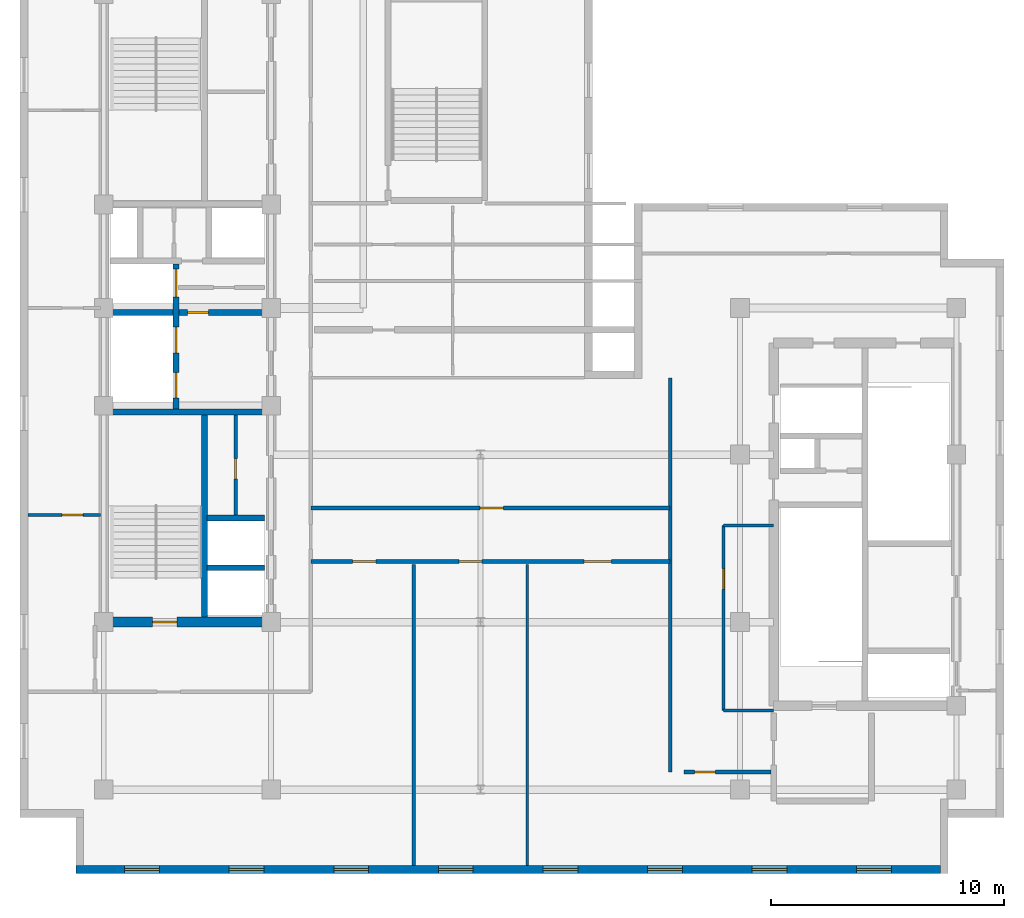
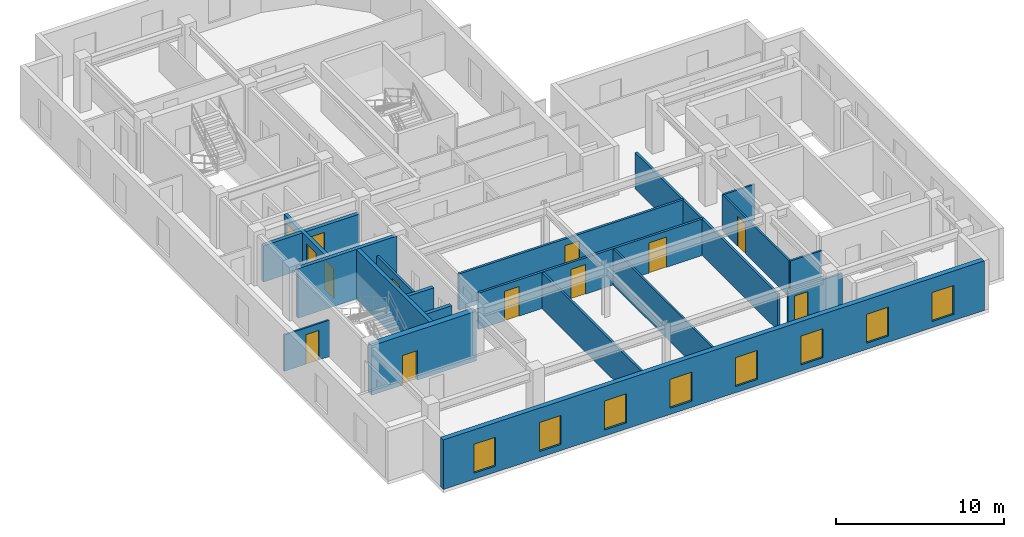
# One storey, part 3 of 10: 19 walls, 13 doors, 8 windows, 21 openings.
"""IFC4 building model written with IfcOpenShell, lengths in metres."""

from ifc_helpers import new_model, entity, si_unit, converted_unit, direction, frame, origin_with_axes, origin_2d_with_axis, place, context, subcontext, project, spatial, polyline, rectangle, outline, extrude, material, layer, layer_set, type_object, element, fill, save


model = new_model("IFC4")

# Units and contexts
model_context = context("Model", 3, precision=1e-05, world=origin_with_axes(), true_north=direction((0.0, 1.0)))
body_context = subcontext(model_context, "Body", "Model", "MODEL_VIEW")
ifc_project = project(units=[si_unit("LENGTHUNIT", "METRE"), si_unit("AREAUNIT", "SQUARE_METRE"), si_unit("VOLUMEUNIT", "CUBIC_METRE"), converted_unit("PLANEANGLEUNIT", "DEGREE", entity("IfcPlaneAngleMeasure", 0.017453292519943295), si_unit("PLANEANGLEUNIT", "RADIAN"), dimensions=[0, 0, 0, 0, 0, 0, 0]), si_unit("MASSUNIT", "GRAM", prefix="KILO"), si_unit("THERMODYNAMICTEMPERATUREUNIT", "KELVIN")], contexts=[model_context])

# Site, building, storey
site_placement = place(None, origin_with_axes())
site = spatial("IfcSite", under=ifc_project, at=site_placement, CompositionType="ELEMENT")
building_placement = place(site_placement, origin_with_axes())
building = spatial("IfcBuilding", under=site, at=building_placement, Name="Varnlund Millrace Tower", CompositionType="ELEMENT")
storey_placement = place(building_placement, frame((0.0, 0.0, 284.1), z_axis=(0.0, 0.0, 1.0), x_axis=(1.0, 0.0, 0.0)))
storey = spatial("IfcBuildingStorey", under=building, at=storey_placement, Name="L70", CompositionType="ELEMENT", Elevation=284.1)

# Wall, opening, door
ifc_material_1 = material(Name="Concrete C60/75", Category="concrete")
ifc_layer_1 = layer(ifc_material_1, 0.42, Name="Concrete C60/75")
ifc_layer_set_1 = layer_set([ifc_layer_1], Name="Concrete C60/75")
wall_type_1 = type_object("IfcWallType", Name="Type-CoreWall-Shear-420-C60", PredefinedType="SHEAR", material=ifc_layer_set_1)
wall_1_placement = place(storey_placement, frame((11.4, 10.8, 0.0), z_axis=(0.0, 0.0, 1.0), x_axis=(1.0, 0.0, 0.0)))
wall_1 = element("IfcWall", 1, at=wall_1_placement, inside=storey, type_object=wall_type_1, Name="Type-CoreWall-Shear-420-C60", PredefinedType="SHEAR", context=body_context, shape_type="SweptSolid", body=[
    extrude(outline(polyline([(0.0, -0.21), (7.2, -0.21), (7.2, 0.21), (0.0, 0.21), (0.0, -0.21)])), origin_with_axes(), (0.0, 0.0, 1.0), 3.6),
])
opening_1_placement = place(wall_1_placement, frame((2.625, 0.0, 0.0), z_axis=(0.0, 0.0, 1.0), x_axis=(1.0, 0.0, 0.0)))
opening_1 = element("IfcOpeningElement", 2, at=opening_1_placement, cuts=wall_1, Name="Opening L70:DR-STA1", PredefinedType="OPENING", context=body_context, shape_type="SweptSolid", body=[
    extrude(rectangle(XDim=1.05, YDim=0.44, at=origin_2d_with_axis()), origin_with_axes(), (0.0, 0.0, 1.0), 2.15),
])
ifc_material_2 = material(Name="Fire-rated hollow steel door", Category="steel")
door_type_1 = type_object("IfcDoorType", Name="Type-FireDoor-Stair-1050X2150", OperationType="NOTDEFINED", PredefinedType="DOOR", material=ifc_material_2)
door_1_placement = place(wall_1_placement, frame((2.625, 0.0, 0.0), z_axis=(0.0, 0.0, 1.0), x_axis=(1.0, 0.0, 0.0)))
door_1 = element("IfcDoor", 3, at=door_1_placement, inside=storey, type_object=door_type_1, Name="Type-FireDoor-Stair-1050X2150", OperationType="SINGLE_SWING_LEFT", OverallHeight=2.15, OverallWidth=1.05, PredefinedType="DOOR", context=body_context, shape_type="SweptSolid", body=[
    extrude(rectangle(XDim=1.05, YDim=0.09, at=origin_2d_with_axis()), origin_with_axes(), (0.0, 0.0, 1.0), 2.15),
])
fill(opening_1, door_1)

# Wall, openings, windows
ifc_material_3 = material(Name="Precast concrete C50/60", Category="concrete")
ifc_layer_2 = layer(ifc_material_3, 0.34, Name="Precast concrete C50/60")
ifc_layer_set_2 = layer_set([ifc_layer_2], Name="Precast concrete C50/60")
wall_type_2 = type_object("IfcWallType", Name="Type-ExtWall-Precast-Upper-340", PredefinedType="SOLIDWALL", material=ifc_layer_set_2)
wall_2_placement = place(storey_placement, frame((47.36, 0.17, 0.0), z_axis=(0.0, 0.0, 1.0), x_axis=(-1.0, 0.0, 0.0)))
wall_2 = element("IfcWall", 4, at=wall_2_placement, inside=storey, type_object=wall_type_2, Name="Type-ExtWall-Precast-Upper-340", PredefinedType="SOLIDWALL", context=body_context, shape_type="SweptSolid", body=[
    extrude(outline(polyline([(0.0, -0.17), (37.16, -0.17), (37.16, 0.17), (0.0, 0.17), (0.0, -0.17)])), origin_with_axes(), (0.0, 0.0, 1.0), 3.6),
])
opening_2_placement = place(wall_2_placement, frame((2.847, 0.0, 0.45), z_axis=(0.0, 0.0, 1.0), x_axis=(1.0, 0.0, 0.0)))
opening_2 = element("IfcOpeningElement", 5, at=opening_2_placement, cuts=wall_2, Name="Opening L70:WN-08", PredefinedType="OPENING", context=body_context, shape_type="SweptSolid", body=[
    extrude(rectangle(XDim=1.5, YDim=0.36, at=origin_2d_with_axis()), origin_with_axes(), (0.0, 0.0, 1.0), 2.1),
])
opening_3_placement = place(wall_2_placement, frame((7.342, 0.0, 0.45), z_axis=(0.0, 0.0, 1.0), x_axis=(1.0, 0.0, 0.0)))
opening_3 = element("IfcOpeningElement", 6, at=opening_3_placement, cuts=wall_2, Name="Opening L70:WN-09", PredefinedType="OPENING", context=body_context, shape_type="SweptSolid", body=[
    extrude(rectangle(XDim=1.5, YDim=0.36, at=origin_2d_with_axis()), origin_with_axes(), (0.0, 0.0, 1.0), 2.1),
])
opening_4_placement = place(wall_2_placement, frame((11.837, 0.0, 0.45), z_axis=(0.0, 0.0, 1.0), x_axis=(1.0, 0.0, 0.0)))
opening_4 = element("IfcOpeningElement", 7, at=opening_4_placement, cuts=wall_2, Name="Opening L70:WN-10", PredefinedType="OPENING", context=body_context, shape_type="SweptSolid", body=[
    extrude(rectangle(XDim=1.5, YDim=0.36, at=origin_2d_with_axis()), origin_with_axes(), (0.0, 0.0, 1.0), 2.1),
])
opening_5_placement = place(wall_2_placement, frame((16.332, 0.0, 0.45), z_axis=(0.0, 0.0, 1.0), x_axis=(1.0, 0.0, 0.0)))
opening_5 = element("IfcOpeningElement", 8, at=opening_5_placement, cuts=wall_2, Name="Opening L70:WN-11", PredefinedType="OPENING", context=body_context, shape_type="SweptSolid", body=[
    extrude(rectangle(XDim=1.5, YDim=0.36, at=origin_2d_with_axis()), origin_with_axes(), (0.0, 0.0, 1.0), 2.1),
])
opening_6_placement = place(wall_2_placement, frame((20.827, 0.0, 0.45), z_axis=(0.0, 0.0, 1.0), x_axis=(1.0, 0.0, 0.0)))
opening_6 = element("IfcOpeningElement", 9, at=opening_6_placement, cuts=wall_2, Name="Opening L70:WN-12", PredefinedType="OPENING", context=body_context, shape_type="SweptSolid", body=[
    extrude(rectangle(XDim=1.5, YDim=0.36, at=origin_2d_with_axis()), origin_with_axes(), (0.0, 0.0, 1.0), 2.1),
])
opening_7_placement = place(wall_2_placement, frame((25.322, 0.0, 0.45), z_axis=(0.0, 0.0, 1.0), x_axis=(1.0, 0.0, 0.0)))
opening_7 = element("IfcOpeningElement", 10, at=opening_7_placement, cuts=wall_2, Name="Opening L70:WN-13", PredefinedType="OPENING", context=body_context, shape_type="SweptSolid", body=[
    extrude(rectangle(XDim=1.5, YDim=0.36, at=origin_2d_with_axis()), origin_with_axes(), (0.0, 0.0, 1.0), 2.1),
])
opening_8_placement = place(wall_2_placement, frame((29.817, 0.0, 0.45), z_axis=(0.0, 0.0, 1.0), x_axis=(1.0, 0.0, 0.0)))
opening_8 = element("IfcOpeningElement", 11, at=opening_8_placement, cuts=wall_2, Name="Opening L70:WN-14", PredefinedType="OPENING", context=body_context, shape_type="SweptSolid", body=[
    extrude(rectangle(XDim=1.5, YDim=0.36, at=origin_2d_with_axis()), origin_with_axes(), (0.0, 0.0, 1.0), 2.1),
])
opening_9_placement = place(wall_2_placement, frame((34.312, 0.0, 0.45), z_axis=(0.0, 0.0, 1.0), x_axis=(1.0, 0.0, 0.0)))
opening_9 = element("IfcOpeningElement", 12, at=opening_9_placement, cuts=wall_2, Name="Opening L70:WN-15", PredefinedType="OPENING", context=body_context, shape_type="SweptSolid", body=[
    extrude(rectangle(XDim=1.5, YDim=0.36, at=origin_2d_with_axis()), origin_with_axes(), (0.0, 0.0, 1.0), 2.1),
])
ifc_material_4 = material(Name="Argon low-e triple glazing in thermally broken bronze frame", Category="glass")
window_type = type_object("IfcWindowType", Name="Type-Window-Punched-1500X2100", PartitioningType="SINGLE_PANEL", PredefinedType="WINDOW", material=ifc_material_4)
window_1_placement = place(wall_2_placement, frame((2.847, 0.0, 0.45), z_axis=(0.0, 0.0, 1.0), x_axis=(1.0, 0.0, 0.0)))
window_1 = element("IfcWindow", 13, at=window_1_placement, inside=storey, type_object=window_type, Name="Type-Window-Punched-1500X2100", OverallHeight=2.1, OverallWidth=1.5, PredefinedType="WINDOW", context=body_context, shape_type="SweptSolid", body=[
    extrude(rectangle(XDim=1.5, YDim=0.09, at=origin_2d_with_axis()), origin_with_axes(), (0.0, 0.0, 1.0), 2.1),
])
fill(opening_2, window_1)
window_2_placement = place(wall_2_placement, frame((7.342, 0.0, 0.45), z_axis=(0.0, 0.0, 1.0), x_axis=(1.0, 0.0, 0.0)))
window_2 = element("IfcWindow", 14, at=window_2_placement, inside=storey, type_object=window_type, Name="Type-Window-Punched-1500X2100", OverallHeight=2.1, OverallWidth=1.5, PredefinedType="WINDOW", context=body_context, shape_type="SweptSolid", body=[
    extrude(rectangle(XDim=1.5, YDim=0.09, at=origin_2d_with_axis()), origin_with_axes(), (0.0, 0.0, 1.0), 2.1),
])
fill(opening_3, window_2)
window_3_placement = place(wall_2_placement, frame((11.837, 0.0, 0.45), z_axis=(0.0, 0.0, 1.0), x_axis=(1.0, 0.0, 0.0)))
window_3 = element("IfcWindow", 15, at=window_3_placement, inside=storey, type_object=window_type, Name="Type-Window-Punched-1500X2100", OverallHeight=2.1, OverallWidth=1.5, PredefinedType="WINDOW", context=body_context, shape_type="SweptSolid", body=[
    extrude(rectangle(XDim=1.5, YDim=0.09, at=origin_2d_with_axis()), origin_with_axes(), (0.0, 0.0, 1.0), 2.1),
])
fill(opening_4, window_3)
window_4_placement = place(wall_2_placement, frame((16.332, 0.0, 0.45), z_axis=(0.0, 0.0, 1.0), x_axis=(1.0, 0.0, 0.0)))
window_4 = element("IfcWindow", 16, at=window_4_placement, inside=storey, type_object=window_type, Name="Type-Window-Punched-1500X2100", OverallHeight=2.1, OverallWidth=1.5, PredefinedType="WINDOW", context=body_context, shape_type="SweptSolid", body=[
    extrude(rectangle(XDim=1.5, YDim=0.09, at=origin_2d_with_axis()), origin_with_axes(), (0.0, 0.0, 1.0), 2.1),
])
fill(opening_5, window_4)
window_5_placement = place(wall_2_placement, frame((20.827, 0.0, 0.45), z_axis=(0.0, 0.0, 1.0), x_axis=(1.0, 0.0, 0.0)))
window_5 = element("IfcWindow", 17, at=window_5_placement, inside=storey, type_object=window_type, Name="Type-Window-Punched-1500X2100", OverallHeight=2.1, OverallWidth=1.5, PredefinedType="WINDOW", context=body_context, shape_type="SweptSolid", body=[
    extrude(rectangle(XDim=1.5, YDim=0.09, at=origin_2d_with_axis()), origin_with_axes(), (0.0, 0.0, 1.0), 2.1),
])
fill(opening_6, window_5)
window_6_placement = place(wall_2_placement, frame((25.322, 0.0, 0.45), z_axis=(0.0, 0.0, 1.0), x_axis=(1.0, 0.0, 0.0)))
window_6 = element("IfcWindow", 18, at=window_6_placement, inside=storey, type_object=window_type, Name="Type-Window-Punched-1500X2100", OverallHeight=2.1, OverallWidth=1.5, PredefinedType="WINDOW", context=body_context, shape_type="SweptSolid", body=[
    extrude(rectangle(XDim=1.5, YDim=0.09, at=origin_2d_with_axis()), origin_with_axes(), (0.0, 0.0, 1.0), 2.1),
])
fill(opening_7, window_6)
window_7_placement = place(wall_2_placement, frame((29.817, 0.0, 0.45), z_axis=(0.0, 0.0, 1.0), x_axis=(1.0, 0.0, 0.0)))
window_7 = element("IfcWindow", 19, at=window_7_placement, inside=storey, type_object=window_type, Name="Type-Window-Punched-1500X2100", OverallHeight=2.1, OverallWidth=1.5, PredefinedType="WINDOW", context=body_context, shape_type="SweptSolid", body=[
    extrude(rectangle(XDim=1.5, YDim=0.09, at=origin_2d_with_axis()), origin_with_axes(), (0.0, 0.0, 1.0), 2.1),
])
fill(opening_8, window_7)
window_8_placement = place(wall_2_placement, frame((34.312, 0.0, 0.45), z_axis=(0.0, 0.0, 1.0), x_axis=(1.0, 0.0, 0.0)))
window_8 = element("IfcWindow", 20, at=window_8_placement, inside=storey, type_object=window_type, Name="Type-Window-Punched-1500X2100", OverallHeight=2.1, OverallWidth=1.5, PredefinedType="WINDOW", context=body_context, shape_type="SweptSolid", body=[
    extrude(rectangle(XDim=1.5, YDim=0.09, at=origin_2d_with_axis()), origin_with_axes(), (0.0, 0.0, 1.0), 2.1),
])
fill(opening_9, window_8)

# Wall, opening, door
ifc_material_5 = material(Name="Fire-rated gypsum board on cold-formed steel framing", Category="steel")
ifc_layer_3 = layer(ifc_material_5, 0.16, Name="Fire-rated gypsum board on cold-formed steel framing")
ifc_layer_set_3 = layer_set([ifc_layer_3], Name="Fire-rated gypsum board on cold-formed steel framing")
wall_type_3 = type_object("IfcWallType", Name="Type-Partition-Corridor-160", PredefinedType="PARTITIONING", material=ifc_layer_set_3)
wall_3_placement = place(storey_placement, frame((17.07, 15.34, 0.0), z_axis=(0.0, 0.0, 1.0), x_axis=(0.0, 1.0, 0.0)))
wall_3 = element("IfcWall", 21, at=wall_3_placement, inside=storey, type_object=wall_type_3, Name="Type-Partition-Corridor-160", PredefinedType="PARTITIONING", context=body_context, shape_type="SweptSolid", body=[
    extrude(outline(polyline([(0.0, -0.08), (4.36, -0.08), (4.36, 0.08), (0.0, 0.08), (0.0, -0.08)])), origin_with_axes(), (0.0, 0.0, 1.0), 2.64),
])
opening_10_placement = place(wall_3_placement, frame((2.05, 0.0, 0.0), z_axis=(0.0, 0.0, 1.0), x_axis=(1.0, 0.0, 0.0)))
opening_10 = element("IfcOpeningElement", 22, at=opening_10_placement, cuts=wall_3, Name="Opening L70:DR-RECL-S1B1", PredefinedType="OPENING", context=body_context, shape_type="SweptSolid", body=[
    extrude(rectangle(XDim=0.9, YDim=0.18, at=origin_2d_with_axis()), origin_with_axes(), (0.0, 0.0, 1.0), 2.15),
])
ifc_material_6 = material(Name="Painted steel riser and closet door", Category="steel")
door_type_2 = type_object("IfcDoorType", Name="Type-IntDoor-Closet-900X2150", OperationType="NOTDEFINED", PredefinedType="DOOR", material=ifc_material_6)
door_2_placement = place(wall_3_placement, frame((2.05, 0.0, 0.0), z_axis=(0.0, 0.0, 1.0), x_axis=(1.0, 0.0, 0.0)))
door_2 = element("IfcDoor", 23, at=door_2_placement, inside=storey, type_object=door_type_2, Name="Type-IntDoor-Closet-900X2150", OperationType="SINGLE_SWING_LEFT", OverallHeight=2.15, OverallWidth=0.9, PredefinedType="DOOR", context=body_context, shape_type="SweptSolid", body=[
    extrude(rectangle(XDim=0.9, YDim=0.09, at=origin_2d_with_axis()), origin_with_axes(), (0.0, 0.0, 1.0), 2.15),
])
fill(opening_10, door_2)

# Wall, openings, doors
wall_4_placement = place(storey_placement, frame((20.3, 13.4, 0.0), z_axis=(0.0, 0.0, 1.0), x_axis=(1.0, 0.0, 0.0)))
wall_4 = element("IfcWall", 24, at=wall_4_placement, inside=storey, type_object=wall_type_3, Name="Type-Partition-Corridor-160", PredefinedType="PARTITIONING", context=body_context, shape_type="SweptSolid", body=[
    extrude(outline(polyline([(0.0, -0.08), (15.45, -0.08), (15.45, 0.08), (0.0, 0.08), (0.0, -0.08)])), origin_with_axes(), (0.0, 0.0, 1.0), 2.64),
])
opening_11_placement = place(wall_4_placement, frame((2.304, 0.0, 0.0), z_axis=(0.0, 0.0, 1.0), x_axis=(1.0, 0.0, 0.0)))
opening_11 = element("IfcOpeningElement", 25, at=opening_11_placement, cuts=wall_4, Name="Opening L70:DR-KNS-01", PredefinedType="OPENING", context=body_context, shape_type="SweptSolid", body=[
    extrude(rectangle(XDim=1.0, YDim=0.18, at=origin_2d_with_axis()), origin_with_axes(), (0.0, 0.0, 1.0), 2.15),
])
opening_12_placement = place(wall_4_placement, frame((6.866, 0.0, 0.0), z_axis=(0.0, 0.0, 1.0), x_axis=(1.0, 0.0, 0.0)))
opening_12 = element("IfcOpeningElement", 26, at=opening_12_placement, cuts=wall_4, Name="Opening L70:DR-KNS-02", PredefinedType="OPENING", context=body_context, shape_type="SweptSolid", body=[
    extrude(rectangle(XDim=1.0, YDim=0.18, at=origin_2d_with_axis()), origin_with_axes(), (0.0, 0.0, 1.0), 2.15),
])
opening_13_placement = place(wall_4_placement, frame((12.337, 0.0, 0.0), z_axis=(0.0, 0.0, 1.0), x_axis=(1.0, 0.0, 0.0)))
opening_13 = element("IfcOpeningElement", 27, at=opening_13_placement, cuts=wall_4, Name="Opening L70:DR-KNS-03", PredefinedType="OPENING", context=body_context, shape_type="SweptSolid", body=[
    extrude(rectangle(XDim=1.2, YDim=0.18, at=origin_2d_with_axis()), origin_with_axes(), (0.0, 0.0, 1.0), 2.2),
])
ifc_material_7 = material(Name="Wide executive white oak acoustic door")
door_type_3 = type_object("IfcDoorType", Name="Type-IntDoor-Exec-1200X2200", OperationType="NOTDEFINED", PredefinedType="DOOR", material=ifc_material_7)
door_3_placement = place(wall_4_placement, frame((12.337, 0.0, 0.0), z_axis=(0.0, 0.0, 1.0), x_axis=(1.0, 0.0, 0.0)))
door_3 = element("IfcDoor", 28, at=door_3_placement, inside=storey, type_object=door_type_3, Name="Type-IntDoor-Exec-1200X2200", OperationType="SINGLE_SWING_LEFT", OverallHeight=2.2, OverallWidth=1.2, PredefinedType="DOOR", context=body_context, shape_type="SweptSolid", body=[
    extrude(rectangle(XDim=1.2, YDim=0.09, at=origin_2d_with_axis()), origin_with_axes(), (0.0, 0.0, 1.0), 2.2),
])
fill(opening_13, door_3)
ifc_material_8 = material(Name="Solid-core white oak and bronze frame door")
door_type_4 = type_object("IfcDoorType", Name="Type-IntDoor-Office-1000X2150", OperationType="NOTDEFINED", PredefinedType="DOOR", material=ifc_material_8)
door_4_placement = place(wall_4_placement, frame((2.304, 0.0, 0.0), z_axis=(0.0, 0.0, 1.0), x_axis=(1.0, 0.0, 0.0)))
door_4 = element("IfcDoor", 29, at=door_4_placement, inside=storey, type_object=door_type_4, Name="Type-IntDoor-Office-1000X2150", OperationType="SINGLE_SWING_LEFT", OverallHeight=2.15, OverallWidth=1.0, PredefinedType="DOOR", context=body_context, shape_type="SweptSolid", body=[
    extrude(rectangle(XDim=1.0, YDim=0.09, at=origin_2d_with_axis()), origin_with_axes(), (0.0, 0.0, 1.0), 2.15),
])
fill(opening_11, door_4)
door_5_placement = place(wall_4_placement, frame((6.866, 0.0, 0.0), z_axis=(0.0, 0.0, 1.0), x_axis=(1.0, 0.0, 0.0)))
door_5 = element("IfcDoor", 30, at=door_5_placement, inside=storey, type_object=door_type_4, Name="Type-IntDoor-Office-1000X2150", OperationType="SINGLE_SWING_RIGHT", OverallHeight=2.15, OverallWidth=1.0, PredefinedType="DOOR", context=body_context, shape_type="SweptSolid", body=[
    extrude(rectangle(XDim=1.0, YDim=0.09, at=origin_2d_with_axis()), origin_with_axes(), (0.0, 0.0, 1.0), 2.15),
])
fill(opening_12, door_5)

# Wall, opening, door
wall_5_placement = place(storey_placement, frame((20.3, 15.7, 0.0), z_axis=(0.0, 0.0, 1.0), x_axis=(1.0, 0.0, 0.0)))
wall_5 = element("IfcWall", 31, at=wall_5_placement, inside=storey, type_object=wall_type_3, Name="Type-Partition-Corridor-160", PredefinedType="PARTITIONING", context=body_context, shape_type="SweptSolid", body=[
    extrude(outline(polyline([(0.0, -0.08), (15.45, -0.08), (15.45, 0.08), (0.0, 0.08), (0.0, -0.08)])), origin_with_axes(), (0.0, 0.0, 1.0), 2.64),
])
opening_14_placement = place(wall_5_placement, frame((7.775, 0.0, 0.0), z_axis=(0.0, 0.0, 1.0), x_axis=(1.0, 0.0, 0.0)))
opening_14 = element("IfcOpeningElement", 32, at=opening_14_placement, cuts=wall_5, Name="Opening L70:DR-KN-01", PredefinedType="OPENING", context=body_context, shape_type="SweptSolid", body=[
    extrude(rectangle(XDim=1.0, YDim=0.18, at=origin_2d_with_axis()), origin_with_axes(), (0.0, 0.0, 1.0), 2.15),
])
door_6_placement = place(wall_5_placement, frame((7.775, 0.0, 0.0), z_axis=(0.0, 0.0, 1.0), x_axis=(1.0, 0.0, 0.0)))
door_6 = element("IfcDoor", 33, at=door_6_placement, inside=storey, type_object=door_type_4, Name="Type-IntDoor-Office-1000X2150", OperationType="SINGLE_SWING_LEFT", OverallHeight=2.15, OverallWidth=1.0, PredefinedType="DOOR", context=body_context, shape_type="SweptSolid", body=[
    extrude(rectangle(XDim=1.0, YDim=0.09, at=origin_2d_with_axis()), origin_with_axes(), (0.0, 0.0, 1.0), 2.15),
])
fill(opening_14, door_6)

# Wall
wall_6_placement = place(storey_placement, frame((35.75, 4.35, 0.0), z_axis=(0.0, 0.0, 1.0), x_axis=(0.0, 1.0, 0.0)))
element("IfcWall", 34, at=wall_6_placement, inside=storey, type_object=wall_type_3, Name="Type-Partition-Corridor-160", PredefinedType="PARTITIONING", context=body_context, shape_type="SweptSolid", body=[
    extrude(outline(polyline([(0.0, -0.08), (16.95, -0.08), (16.95, 0.08), (0.0, 0.08), (0.0, -0.08)])), origin_with_axes(), (0.0, 0.0, 1.0), 2.64),
])

# Wall, opening, door
wall_7_placement = place(storey_placement, frame((36.35, 4.35, 0.0), z_axis=(0.0, 0.0, 1.0), x_axis=(1.0, 0.0, 0.0)))
wall_7 = element("IfcWall", 35, at=wall_7_placement, inside=storey, type_object=wall_type_3, Name="Type-Partition-Corridor-160", PredefinedType="PARTITIONING", context=body_context, shape_type="SweptSolid", body=[
    extrude(outline(polyline([(0.0, -0.08), (3.725, -0.08), (3.725, 0.08), (0.0, 0.08), (0.0, -0.08)])), origin_with_axes(), (0.0, 0.0, 1.0), 2.64),
])
opening_15_placement = place(wall_7_placement, frame((0.9, 0.0, 0.0), z_axis=(0.0, 0.0, 1.0), x_axis=(1.0, 0.0, 0.0)))
opening_15 = element("IfcOpeningElement", 36, at=opening_15_placement, cuts=wall_7, Name="Opening L70:DR-Z4-KNS", PredefinedType="OPENING", context=body_context, shape_type="SweptSolid", body=[
    extrude(rectangle(XDim=0.9, YDim=0.18, at=origin_2d_with_axis()), origin_with_axes(), (0.0, 0.0, 1.0), 2.15),
])
door_7_placement = place(wall_7_placement, frame((0.9, 0.0, 0.0), z_axis=(0.0, 0.0, 1.0), x_axis=(1.0, 0.0, 0.0)))
door_7 = element("IfcDoor", 37, at=door_7_placement, inside=storey, type_object=door_type_2, Name="Type-IntDoor-Closet-900X2150", OperationType="SINGLE_SWING_LEFT", OverallHeight=2.15, OverallWidth=0.9, PredefinedType="DOOR", context=body_context, shape_type="SweptSolid", body=[
    extrude(rectangle(XDim=0.9, YDim=0.09, at=origin_2d_with_axis()), origin_with_axes(), (0.0, 0.0, 1.0), 2.15),
])
fill(opening_15, door_7)

# Wall
ifc_material_9 = material(Name="Acoustic STC-50 gypsum board partition", Category="gypsum")
ifc_layer_4 = layer(ifc_material_9, 0.15, Name="Acoustic STC-50 gypsum board partition")
ifc_layer_set_4 = layer_set([ifc_layer_4], Name="Acoustic STC-50 gypsum board partition")
wall_type_4 = type_object("IfcWallType", Name="Type-Partition-Demising-150", PredefinedType="PARTITIONING", material=ifc_layer_set_4)
wall_8_placement = place(storey_placement, frame((24.728, 0.335, 0.0), z_axis=(0.0, 0.0, 1.0), x_axis=(0.0, 1.0, 0.0)))
element("IfcWall", 38, at=wall_8_placement, inside=storey, type_object=wall_type_4, Name="Type-Partition-Demising-150", PredefinedType="PARTITIONING", context=body_context, shape_type="SweptSolid", body=[
    extrude(outline(polyline([(0.0, -0.075), (12.945, -0.075), (12.945, 0.075), (0.0, 0.075), (0.0, -0.075)])), origin_with_axes(), (0.0, 0.0, 1.0), 2.64),
])

# Wall, opening, door
ifc_material_10 = material(Name="Gypsum board tenant partition", Category="gypsum")
ifc_layer_5 = layer(ifc_material_10, 0.125, Name="Gypsum board tenant partition")
ifc_layer_set_5 = layer_set([ifc_layer_5], Name="Gypsum board tenant partition")
wall_type_5 = type_object("IfcWallType", Name="Type-Partition-Tenant-125", PredefinedType="PARTITIONING", material=ifc_layer_set_5)
wall_9_placement = place(storey_placement, frame((8.135, 15.4, 0.0), z_axis=(0.0, 0.0, 1.0), x_axis=(1.0, 0.0, 0.0)))
wall_9 = element("IfcWall", 39, at=wall_9_placement, inside=storey, type_object=wall_type_5, Name="Type-Partition-Tenant-125", PredefinedType="PARTITIONING", context=body_context, shape_type="SweptSolid", body=[
    extrude(outline(polyline([(0.0, -0.0625), (3.135, -0.0625), (3.135, 0.0625), (0.0, 0.0625), (0.0, -0.0625)])), origin_with_axes(), (0.0, 0.0, 1.0), 2.64),
])
opening_16_placement = place(wall_9_placement, frame((1.925, 0.0, 0.0), z_axis=(0.0, 0.0, 1.0), x_axis=(1.0, 0.0, 0.0)))
opening_16 = element("IfcOpeningElement", 40, at=opening_16_placement, cuts=wall_9, Name="Opening L70:DR-WUI-1", PredefinedType="OPENING", context=body_context, shape_type="SweptSolid", body=[
    extrude(rectangle(XDim=0.9, YDim=0.145, at=origin_2d_with_axis()), origin_with_axes(), (0.0, 0.0, 1.0), 2.15),
])
door_8_placement = place(wall_9_placement, frame((1.925, 0.0, 0.0), z_axis=(0.0, 0.0, 1.0), x_axis=(1.0, 0.0, 0.0)))
door_8 = element("IfcDoor", 41, at=door_8_placement, inside=storey, type_object=door_type_2, Name="Type-IntDoor-Closet-900X2150", OperationType="SINGLE_SWING_LEFT", OverallHeight=2.15, OverallWidth=0.9, PredefinedType="DOOR", context=body_context, shape_type="SweptSolid", body=[
    extrude(rectangle(XDim=0.9, YDim=0.075, at=origin_2d_with_axis()), origin_with_axes(), (0.0, 0.0, 1.0), 2.15),
])
fill(opening_16, door_8)

# Walls
wall_10_placement = place(storey_placement, frame((29.604, 0.335, 0.0), z_axis=(0.0, 0.0, 1.0), x_axis=(0.0, 1.0, 0.0)))
element("IfcWall", 42, at=wall_10_placement, inside=storey, type_object=wall_type_5, Name="Type-Partition-Tenant-125", PredefinedType="PARTITIONING", context=body_context, shape_type="SweptSolid", body=[
    extrude(outline(polyline([(0.0, -0.0625), (12.945, -0.0625), (12.945, 0.0625), (0.0, 0.0625), (0.0, -0.0625)])), origin_with_axes(), (0.0, 0.0, 1.0), 2.64),
])
for number, where, z_axis, x_axis, name in (
    (43, (38.05, 7.0, 0.0), (0.0, 0.0, 1.0), (1.0, 0.0, 0.0), "Type-Partition-Tenant-125"),
    (44, (38.05, 14.95, 0.0), (0.0, 0.0, 1.0), (1.0, 0.0, 0.0), "Type-Partition-Tenant-125"),
):
    element("IfcWall", number, at=place(storey_placement, frame(where, z_axis=z_axis, x_axis=x_axis)), inside=storey, type_object=wall_type_5, Name=name, PredefinedType="PARTITIONING", context=body_context, shape_type="SweptSolid", body=[
        extrude(outline(polyline([(0.0, -0.0625), (2.15, -0.0625), (2.15, 0.0625), (0.0, 0.0625), (0.0, -0.0625)])), origin_with_axes(), (0.0, 0.0, 1.0), 2.64),
    ])

# Wall, opening, door
wall_11_placement = place(storey_placement, frame((38.05, 7.0, 0.0), z_axis=(0.0, 0.0, 1.0), x_axis=(0.0, 1.0, 0.0)))
wall_11 = element("IfcWall", 45, at=wall_11_placement, inside=storey, type_object=wall_type_5, Name="Type-Partition-Tenant-125", PredefinedType="PARTITIONING", context=body_context, shape_type="SweptSolid", body=[
    extrude(outline(polyline([(0.0, -0.0625), (7.95, -0.0625), (7.95, 0.0625), (0.0, 0.0625), (0.0, -0.0625)])), origin_with_axes(), (0.0, 0.0, 1.0), 2.64),
])
opening_17_placement = place(wall_11_placement, frame((5.65, 0.0, 0.0), z_axis=(0.0, 0.0, 1.0), x_axis=(1.0, 0.0, 0.0)))
opening_17 = element("IfcOpeningElement", 46, at=opening_17_placement, cuts=wall_11, Name="Opening L70:DR-Z4-KMID", PredefinedType="OPENING", context=body_context, shape_type="SweptSolid", body=[
    extrude(rectangle(XDim=0.9, YDim=0.145, at=origin_2d_with_axis()), origin_with_axes(), (0.0, 0.0, 1.0), 2.15),
])
door_9_placement = place(wall_11_placement, frame((5.65, 0.0, 0.0), z_axis=(0.0, 0.0, 1.0), x_axis=(1.0, 0.0, 0.0)))
door_9 = element("IfcDoor", 47, at=door_9_placement, inside=storey, type_object=door_type_2, Name="Type-IntDoor-Closet-900X2150", OperationType="SINGLE_SWING_LEFT", OverallHeight=2.15, OverallWidth=0.9, PredefinedType="DOOR", context=body_context, shape_type="SweptSolid", body=[
    extrude(rectangle(XDim=0.9, YDim=0.075, at=origin_2d_with_axis()), origin_with_axes(), (0.0, 0.0, 1.0), 2.15),
])
fill(opening_17, door_9)

# Wall, openings, doors
ifc_layer_6 = layer(ifc_material_1, 0.25, Name="Concrete C60/75")
ifc_layer_set_6 = layer_set([ifc_layer_6], Name="Concrete C60/75")
wall_type_6 = type_object("IfcWallType", Name="Type-ShaftWall-Fire-250", PredefinedType="SOLIDWALL", material=ifc_layer_set_6)
wall_12_placement = place(storey_placement, frame((14.5, 19.95, 0.0), z_axis=(0.0, 0.0, 1.0), x_axis=(0.0, 1.0, 0.0)))
wall_12 = element("IfcWall", 48, at=wall_12_placement, inside=storey, type_object=wall_type_6, Name="Type-ShaftWall-Fire-250", PredefinedType="SOLIDWALL", context=body_context, shape_type="SweptSolid", body=[
    extrude(outline(polyline([(0.0, -0.125), (6.25, -0.125), (6.25, 0.125), (0.0, 0.125), (0.0, -0.125)])), origin_with_axes(), (0.0, 0.0, 1.0), 2.64),
])
opening_18_placement = place(wall_12_placement, frame((1.025, 0.0, 0.0), z_axis=(0.0, 0.0, 1.0), x_axis=(1.0, 0.0, 0.0)))
opening_18 = element("IfcOpeningElement", 49, at=opening_18_placement, cuts=wall_12, Name="Opening L70:LD-FSAE1", PredefinedType="OPENING", context=body_context, shape_type="SweptSolid", body=[
    extrude(rectangle(XDim=1.1, YDim=0.27, at=origin_2d_with_axis()), origin_with_axes(), (0.0, 0.0, 1.0), 2.15),
])
opening_19_placement = place(wall_12_placement, frame((2.975, 0.0, 0.0), z_axis=(0.0, 0.0, 1.0), x_axis=(1.0, 0.0, 0.0)))
opening_19 = element("IfcOpeningElement", 50, at=opening_19_placement, cuts=wall_12, Name="Opening L70:LD-FSAE2", PredefinedType="OPENING", context=body_context, shape_type="SweptSolid", body=[
    extrude(rectangle(XDim=1.1, YDim=0.27, at=origin_2d_with_axis()), origin_with_axes(), (0.0, 0.0, 1.0), 2.15),
])
opening_20_placement = place(wall_12_placement, frame((5.425, 0.0, 0.0), z_axis=(0.0, 0.0, 1.0), x_axis=(1.0, 0.0, 0.0)))
opening_20 = element("IfcOpeningElement", 51, at=opening_20_placement, cuts=wall_12, Name="Opening L70:LD-SRV1", PredefinedType="OPENING", context=body_context, shape_type="SweptSolid", body=[
    extrude(rectangle(XDim=1.2, YDim=0.27, at=origin_2d_with_axis()), origin_with_axes(), (0.0, 0.0, 1.0), 2.15),
])
ifc_material_11 = material(Name="Stainless and architectural bronze sliding landing door")
door_type_5 = type_object("IfcDoorType", Name="Type-LiftLandingDoor-1100X2150", OperationType="NOTDEFINED", PredefinedType="DOOR", material=ifc_material_11)
door_10_placement = place(wall_12_placement, frame((1.025, 0.0, 0.0), z_axis=(0.0, 0.0, 1.0), x_axis=(1.0, 0.0, 0.0)))
door_10 = element("IfcDoor", 52, at=door_10_placement, inside=storey, type_object=door_type_5, Name="Type-LiftLandingDoor-1100X2150", OperationType="SLIDING_TO_LEFT", OverallHeight=2.15, OverallWidth=1.1, PredefinedType="DOOR", context=body_context, shape_type="SweptSolid", body=[
    extrude(rectangle(XDim=1.1, YDim=0.09, at=origin_2d_with_axis()), origin_with_axes(), (0.0, 0.0, 1.0), 2.15),
])
fill(opening_18, door_10)
door_11_placement = place(wall_12_placement, frame((2.975, 0.0, 0.0), z_axis=(0.0, 0.0, 1.0), x_axis=(1.0, 0.0, 0.0)))
door_11 = element("IfcDoor", 53, at=door_11_placement, inside=storey, type_object=door_type_5, Name="Type-LiftLandingDoor-1100X2150", OperationType="SLIDING_TO_RIGHT", OverallHeight=2.15, OverallWidth=1.1, PredefinedType="DOOR", context=body_context, shape_type="SweptSolid", body=[
    extrude(rectangle(XDim=1.1, YDim=0.09, at=origin_2d_with_axis()), origin_with_axes(), (0.0, 0.0, 1.0), 2.15),
])
fill(opening_19, door_11)
ifc_material_12 = material(Name="Heavy-duty freight sliding landing door")
door_type_6 = type_object("IfcDoorType", Name="Type-LiftLandingDoor-Service-1200X2150", OperationType="NOTDEFINED", PredefinedType="DOOR", material=ifc_material_12)
door_12_placement = place(wall_12_placement, frame((5.425, 0.0, 0.0), z_axis=(0.0, 0.0, 1.0), x_axis=(1.0, 0.0, 0.0)))
door_12 = element("IfcDoor", 54, at=door_12_placement, inside=storey, type_object=door_type_6, Name="Type-LiftLandingDoor-Service-1200X2150", OperationType="DOUBLE_DOOR_SLIDING", OverallHeight=2.15, OverallWidth=1.2, PredefinedType="DOOR", context=body_context, shape_type="SweptSolid", body=[
    extrude(rectangle(XDim=1.2, YDim=0.09, at=origin_2d_with_axis()), origin_with_axes(), (0.0, 0.0, 1.0), 2.15),
])
fill(opening_20, door_12)

# Wall, opening, door
wall_13_placement = place(storey_placement, frame((11.7, 24.1, 0.0), z_axis=(0.0, 0.0, 1.0), x_axis=(1.0, 0.0, 0.0)))
wall_13 = element("IfcWall", 55, at=wall_13_placement, inside=storey, type_object=wall_type_6, Name="Type-ShaftWall-Fire-250", PredefinedType="SOLIDWALL", context=body_context, shape_type="SweptSolid", body=[
    extrude(outline(polyline([(0.0, -0.125), (6.6, -0.125), (6.6, 0.125), (0.0, 0.125), (0.0, -0.125)])), origin_with_axes(), (0.0, 0.0, 1.0), 2.64),
])
opening_21_placement = place(wall_13_placement, frame((3.75, 0.0, 0.0), z_axis=(0.0, 0.0, 1.0), x_axis=(1.0, 0.0, 0.0)))
opening_21 = element("IfcOpeningElement", 56, at=opening_21_placement, cuts=wall_13, Name="Opening L70:DR-CA-SUB1", PredefinedType="OPENING", context=body_context, shape_type="SweptSolid", body=[
    extrude(rectangle(XDim=0.9, YDim=0.27, at=origin_2d_with_axis()), origin_with_axes(), (0.0, 0.0, 1.0), 2.15),
])
ifc_material_13 = material(Name="Fire-rated hollow steel service closet door", Category="steel")
door_type_7 = type_object("IfcDoorType", Name="Type-FireDoor-Closet-900X2150", OperationType="NOTDEFINED", PredefinedType="DOOR", material=ifc_material_13)
door_13_placement = place(wall_13_placement, frame((3.75, 0.0, 0.0), z_axis=(0.0, 0.0, 1.0), x_axis=(1.0, 0.0, 0.0)))
door_13 = element("IfcDoor", 57, at=door_13_placement, inside=storey, type_object=door_type_7, Name="Type-FireDoor-Closet-900X2150", OperationType="SINGLE_SWING_LEFT", OverallHeight=2.15, OverallWidth=0.9, PredefinedType="DOOR", context=body_context, shape_type="SweptSolid", body=[
    extrude(rectangle(XDim=0.9, YDim=0.09, at=origin_2d_with_axis()), origin_with_axes(), (0.0, 0.0, 1.0), 2.15),
])
fill(opening_21, door_13)

# Walls
for number, where, z_axis, x_axis, name in (
    (58, (15.84, 13.13, 0.0), (0.0, 0.0, 1.0), (1.0, 0.0, 0.0), "Type-ShaftWall-Fire-250"),
    (59, (15.84, 15.27, 0.0), (0.0, 0.0, 1.0), (1.0, 0.0, 0.0), "Type-ShaftWall-Fire-250"),
):
    element("IfcWall", number, at=place(storey_placement, frame(where, z_axis=z_axis, x_axis=x_axis)), inside=storey, type_object=wall_type_6, Name=name, PredefinedType="SOLIDWALL", context=body_context, shape_type="SweptSolid", body=[
        extrude(outline(polyline([(0.0, -0.125), (2.46, -0.125), (2.46, 0.125), (0.0, 0.125), (0.0, -0.125)])), origin_with_axes(), (0.0, 0.0, 1.0), 2.64),
    ])
wall_type_7 = type_object("IfcWallType", Name="Type-StairWall-Shear-250", PredefinedType="SHEAR", material=ifc_layer_set_6)
wall_14_placement = place(storey_placement, frame((15.725, 11.01, 0.0), z_axis=(0.0, 0.0, 1.0), x_axis=(0.0, 1.0, 0.0)))
element("IfcWall", 60, at=wall_14_placement, inside=storey, type_object=wall_type_7, Name="Type-StairWall-Shear-250", PredefinedType="SHEAR", context=body_context, shape_type="SweptSolid", body=[
    extrude(outline(polyline([(0.0, -0.125), (8.69, -0.125), (8.69, 0.125), (0.0, 0.125), (0.0, -0.125)])), origin_with_axes(), (0.0, 0.0, 1.0), 3.6),
])
wall_15_placement = place(storey_placement, frame((11.61, 19.825, 0.0), z_axis=(0.0, 0.0, 1.0), x_axis=(1.0, 0.0, 0.0)))
element("IfcWall", 61, at=wall_15_placement, inside=storey, type_object=wall_type_7, Name="Type-StairWall-Shear-250", PredefinedType="SHEAR", context=body_context, shape_type="SweptSolid", body=[
    extrude(outline(polyline([(0.0, -0.125), (6.78, -0.125), (6.78, 0.125), (0.0, 0.125), (0.0, -0.125)])), origin_with_axes(), (0.0, 0.0, 1.0), 3.6),
])

save(model, "model.ifc")
